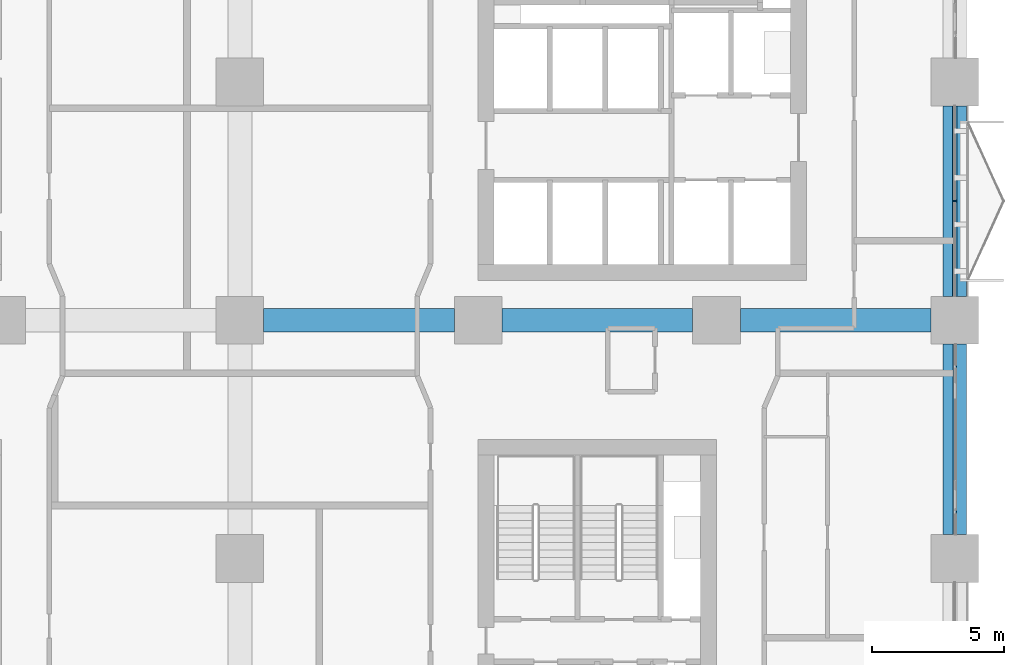
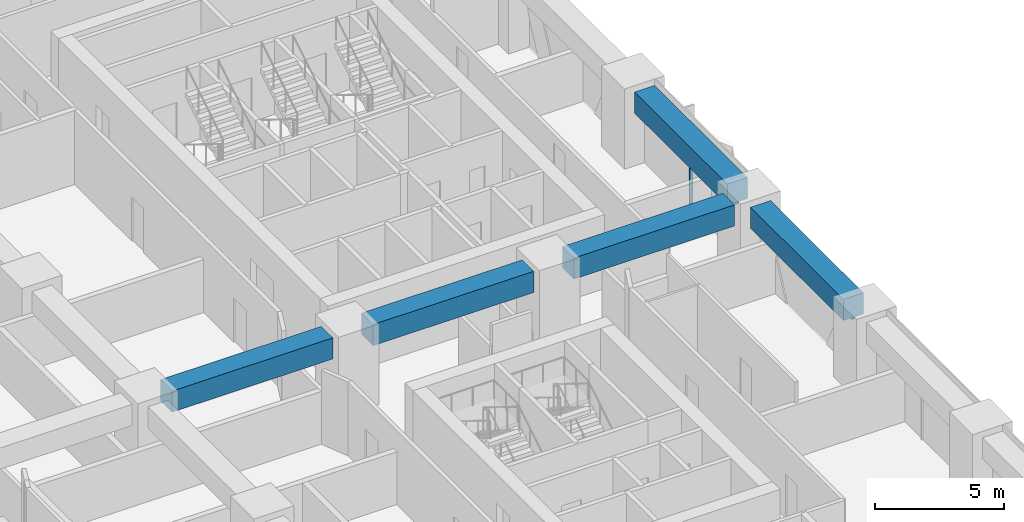
# One storey, part 5 of 21: 5 beams, 3 members, 2 elements without a shape of their own.
"""IFC4 building model written with IfcOpenShell, lengths in metres."""

from ifc_helpers import new_model, si_unit, direction, frame, origin, origin_2d, place, context, subcontext, project, spatial, rectangle, extrude, material, material_profile, profile_set, type_object, element, aggregate, save


model = new_model("IFC4")

# Units and contexts
model_context = context("Model", 3, precision=1e-05, world=origin(), true_north=direction((0.0, 1.0)))
body_context = subcontext(model_context, "Body", "Model", "MODEL_VIEW")
ifc_project = project(units=[si_unit("LENGTHUNIT", "METRE"), si_unit("AREAUNIT", "SQUARE_METRE"), si_unit("VOLUMEUNIT", "CUBIC_METRE"), si_unit("PLANEANGLEUNIT", "RADIAN"), si_unit("MASSUNIT", "GRAM", prefix="KILO")], contexts=[model_context])

# Site, building, storey
site_placement = place(None, origin())
site = spatial("IfcSite", under=ifc_project, at=site_placement, CompositionType="ELEMENT")
building_placement = place(site_placement, origin())
building = spatial("IfcBuilding", under=site, at=building_placement, Name="Tessera Arch", CompositionType="ELEMENT")
storey_placement = place(building_placement, frame((0.0, 0.0, 42.39990234375)))
storey = spatial("IfcBuildingStorey", under=building, at=storey_placement, Name="L08", CompositionType="ELEMENT", Elevation=42.39990234375)

# Curtain wall, members
ifc_material_1 = material(Name="CW1 curtain wall")
curtain_wall_type_1 = type_object("IfcCurtainWallType", Name="CW1 curtain wall", PredefinedType="NOTDEFINED", material=ifc_material_1)
curtain_wall_1_placement = place(storey_placement, origin())
curtain_wall_1 = element("IfcCurtainWall", 1, at=curtain_wall_1_placement, inside=storey, type_object=curtain_wall_type_1, Name="CW1 curtain wall E54.0/3 L08", PredefinedType="NOTDEFINED")
ifc_material_2 = material(Name="Anodised aluminium pale metal", Category="aluminium")
ifc_material_profile_1 = material_profile(ifc_material_2, rectangle(XDim=0.159912109375, YDim=0.06005859375, at=origin_2d()), Name="AL 60x160")
ifc_profile_set_1 = profile_set([ifc_material_profile_1], Name="Anodised aluminium pale metal")
member_type_1 = type_object("IfcMemberType", Name="CW1 mullion", PredefinedType="MULLION", material=ifc_profile_set_1)
member_1_placement = place(storey_placement, frame((54.0, 31.5, 0.0), z_axis=(0.0, 0.0, 1.0), x_axis=(-1.0, 0.0, 0.0)))
member_1 = element("IfcMember", 2, at=member_1_placement, type_object=member_type_1, Name="CW1 mullion E54.0/3 1", PredefinedType="MULLION", context=body_context, shape_type="SweptSolid", body=[
    extrude(rectangle(XDim=0.159912109375, YDim=0.06005859375, at=origin_2d()), origin(), (0.0, 0.0, 1.0), 2.400146484375),
])
ifc_material_3 = material(Name="Anodised aluminium pale metal", Category="aluminium")
ifc_material_profile_2 = material_profile(ifc_material_3, rectangle(XDim=0.159912109375, YDim=0.10009765625, at=origin_2d()), Name="AL 160x100")
ifc_profile_set_2 = profile_set([ifc_material_profile_2], Name="Anodised aluminium pale metal")
member_type_2 = type_object("IfcMemberType", Name="CW1 transom", PredefinedType="USERDEFINED", material=ifc_profile_set_2)
member_2_placement = place(storey_placement, frame((54.0, 27.89990234375, 2.4501953125), z_axis=(0.0, 1.0, 0.0), x_axis=(-1.0, 0.0, 0.0)))
member_2 = element("IfcMember", 3, at=member_2_placement, type_object=member_type_2, Name="CW1 transom E54.0/3 1.1", ObjectType="TRANSOM", PredefinedType="USERDEFINED", context=body_context, shape_type="SweptSolid", body=[
    extrude(rectangle(XDim=0.159912109375, YDim=0.10009765625, at=origin_2d()), origin(), (0.0, 0.0, 1.0), 7.2001953125),
])
aggregate(curtain_wall_1, [member_1, member_2])

# Curtain wall, member
ifc_material_4 = material(Name="CW3 curtain wall")
curtain_wall_type_2 = type_object("IfcCurtainWallType", Name="CW3 curtain wall", PredefinedType="NOTDEFINED", material=ifc_material_4)
curtain_wall_2_placement = place(storey_placement, origin())
curtain_wall_2 = element("IfcCurtainWall", 4, at=curtain_wall_2_placement, inside=storey, type_object=curtain_wall_type_2, Name="CW3 curtain wall E54.0/2 L08", PredefinedType="NOTDEFINED")
ifc_material_5 = material(Name="Anodised aluminium pale metal", Category="aluminium")
ifc_material_profile_3 = material_profile(ifc_material_5, rectangle(XDim=0.139892578125, YDim=0.10009765625, at=origin_2d()), Name="AL 140x100")
ifc_profile_set_3 = profile_set([ifc_material_profile_3], Name="Anodised aluminium pale metal")
member_type_3 = type_object("IfcMemberType", Name="CW3 transom", PredefinedType="USERDEFINED", material=ifc_profile_set_3)
member_3_placement = place(storey_placement, frame((54.0, 18.89990234375, 2.4501953125), z_axis=(0.0, 1.0, 0.0), x_axis=(-1.0, 0.0, 0.0)))
member_3 = element("IfcMember", 5, at=member_3_placement, type_object=member_type_3, Name="CW3 transom E54.0/2 1.1", ObjectType="TRANSOM", PredefinedType="USERDEFINED", context=body_context, shape_type="SweptSolid", body=[
    extrude(rectangle(XDim=0.139892578125, YDim=0.10009765625, at=origin_2d()), origin(), (0.0, 0.0, 1.0), 7.2001953125),
])
aggregate(curtain_wall_2, [member_3])

# Beams
ifc_material_6 = material(Name="Concrete C80/95", Category="concrete")
ifc_material_profile_4 = material_profile(ifc_material_6, rectangle(XDim=0.89990234375, YDim=1.0, at=origin_2d()), Name="RC spandrel beam 900 x 1000 Concrete C80/95")
ifc_profile_set_4 = profile_set([ifc_material_profile_4], Name="Concrete C80/95")
beam_type = type_object("IfcBeamType", Name="RC spandrel beam 900 x 1000 Concrete C80/95", PredefinedType="BEAM", material=ifc_profile_set_4)
for number, where, z_axis, x_axis, name in (
    (6, (54.0, 18.89990234375, 3.0), (0.0, 1.0, 0.0), (-1.0, 0.0, 0.0), "Spandrel beam L08 E54.0/2"),
    (7, (54.0, 27.89990234375, 3.0), (0.0, 1.0, 0.0), (-1.0, 0.0, 0.0), "Spandrel beam L08 E54.0/3"),
    (8, (27.89990234375, 27.0, 3.0), (1.0, 0.0, 0.0), (0.0, 1.0, 0.0), "Interface beam L08 I1C4D-C5D"),
    (9, (36.89990234375, 27.0, 3.0), (1.0, 0.0, 0.0), (0.0, 1.0, 0.0), "Interface beam L08 I1C5D-C6D"),
    (10, (45.89990234375, 27.0, 3.0), (1.0, 0.0, 0.0), (0.0, 1.0, 0.0), "Interface beam L08 I1C6D-C7D"),
):
    element("IfcBeam", number, at=place(storey_placement, frame(where, z_axis=z_axis, x_axis=x_axis)), inside=storey, type_object=beam_type, Name=name, PredefinedType="BEAM", context=body_context, shape_type="SweptSolid", body=[
        extrude(rectangle(XDim=0.89990234375, YDim=1.0, at=origin_2d()), origin(), (0.0, 0.0, 1.0), 7.2001953125),
    ])

save(model, "model.ifc")
